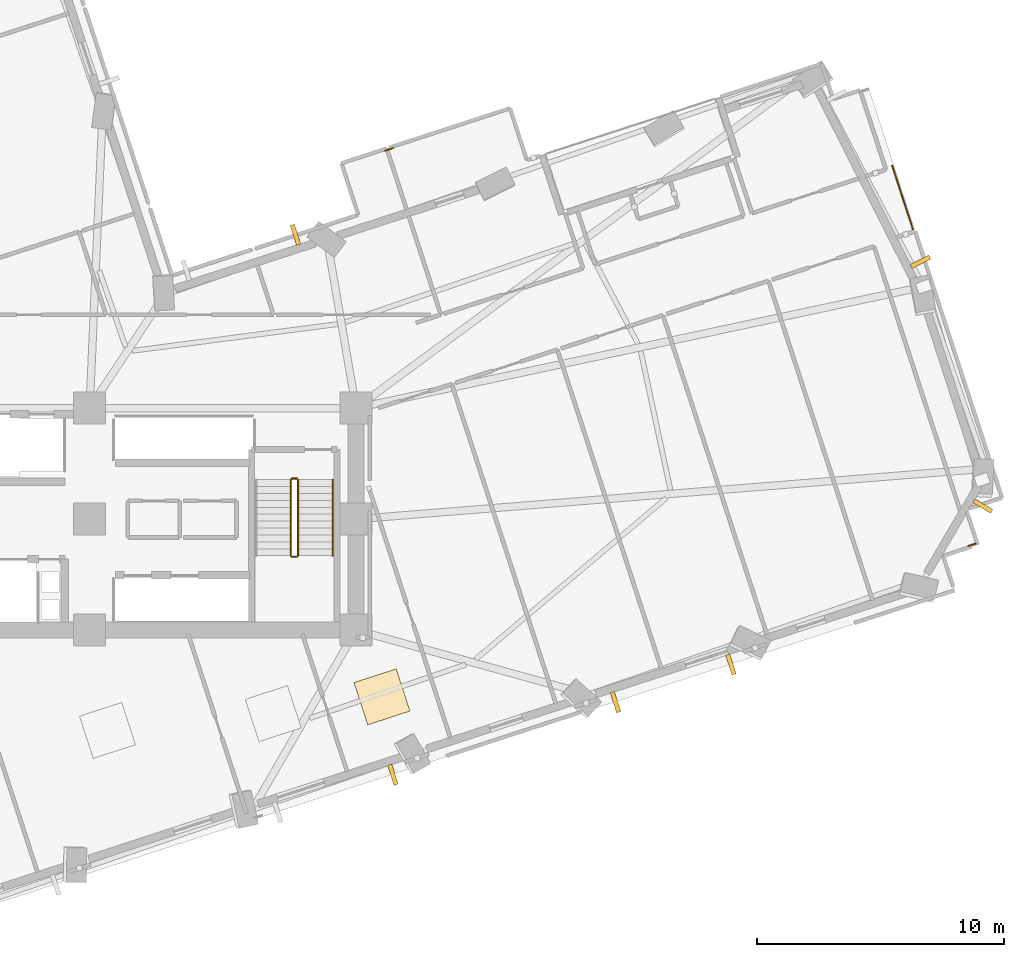
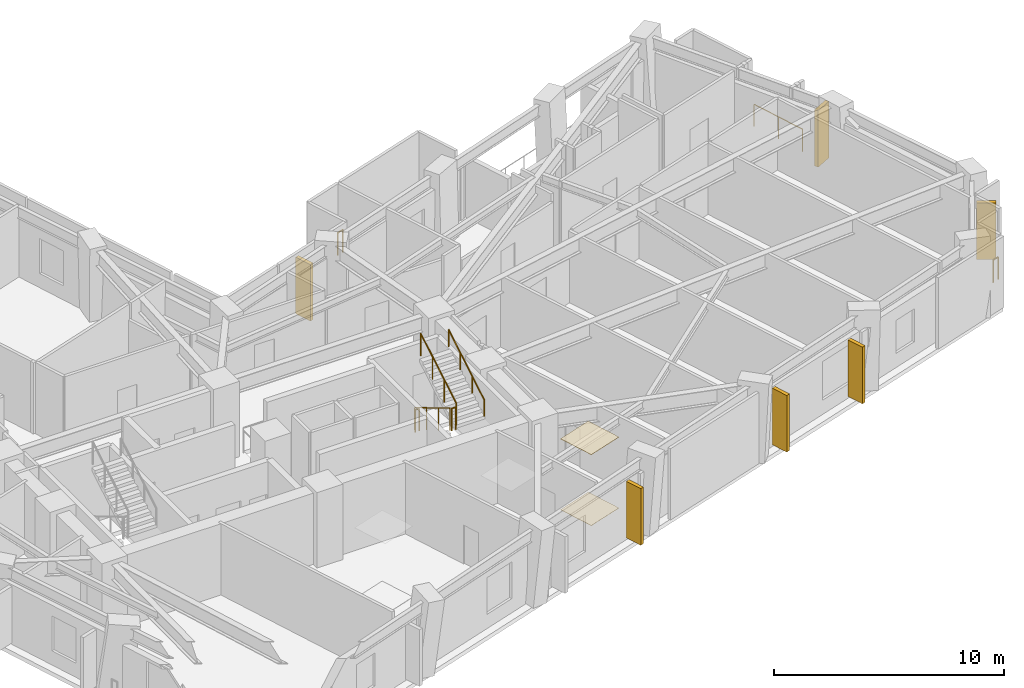
# One storey, part 14 of 16: 8 railings, 6 shading devices, 2 coverings.
"""IFC4 building model written with IfcOpenShell, lengths in metres."""

import ifcopenshell
import ifcopenshell.guid

model = None  # the IFC model being written
_history = None  # IfcOwnerHistory: only IFC2X3 demands one
_inside = {}  # id of a spatial element -> (the spatial element, [elements in it])
_under = {}  # id of a project, library or spatial element -> (it, [spatial elements below it])
_declared = {}  # id of a project -> (the project, [libraries it declares])
_typed = {}  # id of a type object -> (the type object, [elements of that type])
_made_of = {}  # id of a material, layer set ... -> (it, [elements and type objects made of it])


def new_model(schema):
    """Start an empty IFC model of exactly this schema.

    Asked for "IFC4X3", IfcOpenShell would pick the latest addendum, in which some entities
    have other attributes; the version numbers below select the first issue.
    IFC2X3 requires an IfcOwnerHistory on every rooted entity: one is made here for all.
    """
    global model, _history
    if schema == "IFC4X3":
        model = ifcopenshell.file(schema_version=(4, 3, 0, 0))
    else:
        model = ifcopenshell.file(schema=schema)
    _inside.clear()
    _under.clear()
    _declared.clear()
    _typed.clear()
    _made_of.clear()
    _history = None
    if model.schema == "IFC2X3":
        org = make("IfcOrganization", Name="unknown")
        user = make(
            "IfcPersonAndOrganization",
            ThePerson=make("IfcPerson", FamilyName="unknown"),
            TheOrganization=org,
        )
        app = make(
            "IfcApplication",
            ApplicationDeveloper=org,
            Version="unknown",
            ApplicationFullName="unknown",
            ApplicationIdentifier="unknown",
        )
        _history = make(
            "IfcOwnerHistory",
            OwningUser=user,
            OwningApplication=app,
            ChangeAction="ADDED",
            CreationDate=0,
        )
    return model


def make(cls, **values):
    """One entity of the class cls with the attributes given. An attribute that is None is left unset."""
    return model.create_entity(
        cls, **{name: value for name, value in values.items() if value is not None}
    )


def rooted(cls, **values):
    """An entity with a GlobalId (a new one), such as an element, a storey or a relation."""
    return make(cls, GlobalId=ifcopenshell.guid.new(), OwnerHistory=_history, **values)


def si_unit(unit_type, name, prefix=None):
    """IfcSIUnit, for example si_unit("LENGTHUNIT", "METRE", prefix="MILLI")."""
    return make("IfcSIUnit", UnitType=unit_type, Prefix=prefix, Name=name)


def assignment(units):
    """IfcUnitAssignment: the units of a project."""
    return None if units is None else make("IfcUnitAssignment", Units=units)


def point(xyz):
    """IfcCartesianPoint."""
    return None if xyz is None else make("IfcCartesianPoint", Coordinates=xyz)


def direction(xyz):
    """IfcDirection."""
    return None if xyz is None else make("IfcDirection", DirectionRatios=xyz)


def frame(location, z_axis=None, x_axis=None):
    """IfcAxis2Placement3D, a coordinate frame: its origin and axes. An axis left out is left unset."""
    return make(
        "IfcAxis2Placement3D",
        Location=point(location),
        Axis=direction(z_axis),
        RefDirection=direction(x_axis),
    )


def frame_2d(location, x_axis=None):
    """IfcAxis2Placement2D, a coordinate frame in the plane: its origin and x axis."""
    return make(
        "IfcAxis2Placement2D", Location=point(location), RefDirection=direction(x_axis)
    )


def origin():
    """The frame at (0, 0, 0) with its axes left unset."""
    return frame((0.0, 0.0, 0.0))


def origin_2d():
    """The frame at (0, 0) in the plane with its x axis left unset."""
    return frame_2d((0.0, 0.0))


def place(relative_to, where):
    """IfcLocalPlacement: puts the frame where relative to a parent placement (None: the world)."""
    return make(
        "IfcLocalPlacement", PlacementRelTo=relative_to, RelativePlacement=where
    )


def context(
    kind, dimensions, precision=None, world=None, true_north=None, identifier=None
):
    """IfcGeometricRepresentationContext, for example the 3D "Model" context."""
    return make(
        "IfcGeometricRepresentationContext",
        ContextIdentifier=identifier,
        ContextType=kind,
        CoordinateSpaceDimension=dimensions,
        Precision=precision,
        WorldCoordinateSystem=world,
        TrueNorth=true_north,
    )


def subcontext(parent, identifier, kind, view, scale=None):
    """IfcGeometricRepresentationSubContext, for example "Body" below "Model"."""
    return make(
        "IfcGeometricRepresentationSubContext",
        ContextIdentifier=identifier,
        ContextType=kind,
        ParentContext=parent,
        TargetScale=scale,
        TargetView=view,
    )


def project(units=None, contexts=None):
    """IfcProject with its units and contexts."""
    return rooted(
        "IfcProject",
        Name="project",
        RepresentationContexts=contexts,
        UnitsInContext=assignment(units),
    )


def spatial(cls, under=None, at=None, **own):
    """A site, building, storey or space (cls), placed at a placement, below another one or the project."""
    s = rooted(cls, ObjectPlacement=at, **own)
    if under is not None:
        _under.setdefault(under.id(), (under, []))[1].append(s)
    return s


def profile(cls, at=None, kind="AREA", **sizes):
    """A parametric profile (cls). Its sizes go by their IFC names, for example OverallWidth=200.0."""
    return make(cls, ProfileType=kind, Position=at, **sizes)


def rectangle(**sizes):
    """IfcRectangleProfileDef."""
    return profile("IfcRectangleProfileDef", **sizes)


def circle(**sizes):
    """IfcCircleProfileDef."""
    return profile("IfcCircleProfileDef", **sizes)


def extrude(swept, where, along, depth):
    """IfcExtrudedAreaSolid: the profile swept, set in the frame where, extruded along a direction by depth."""
    return make(
        "IfcExtrudedAreaSolid",
        SweptArea=swept,
        Position=where,
        ExtrudedDirection=direction(along),
        Depth=depth,
    )


def shape(context_of_items, identifier, shape_type, items):
    """IfcShapeRepresentation: the items that make up one representation, for example the "Body"."""
    return make(
        "IfcShapeRepresentation",
        ContextOfItems=context_of_items,
        RepresentationIdentifier=identifier,
        RepresentationType=shape_type,
        Items=items,
    )


def material(Name=None, Category=None):
    """IfcMaterial."""
    return make("IfcMaterial", Name=Name, Category=Category)


def layer(
    of_material, thickness, ventilated=None, Name=None, Category=None, Priority=None
):
    """IfcMaterialLayer: one layer of a wall or slab, of a material (None: an air gap)."""
    return make(
        "IfcMaterialLayer",
        Material=of_material,
        LayerThickness=thickness,
        IsVentilated=ventilated,
        Name=Name,
        Category=Category,
        Priority=Priority,
    )


def layer_set(layers, Name=None):
    """IfcMaterialLayerSet."""
    return make("IfcMaterialLayerSet", MaterialLayers=layers, LayerSetName=Name)


def made_of(thing, what):
    """Note that an element or type object is made of a material, layer set ...; save() writes the relation."""
    if what is not None:
        _made_of.setdefault(what.id(), (what, []))[1].append(thing)
    return thing


def type_object(cls, material=None, **own):
    """A type object (cls), such as IfcWallType, which elements share."""
    return made_of(rooted(cls, **own), material)


def element(
    cls,
    number,
    at=None,
    inside=None,
    cuts=None,
    type_object=None,
    material=None,
    context=None,
    identifier="Body",
    shape_type=None,
    held_by="IfcProductDefinitionShape",
    body=None,
    shapes=None,
    **own,
):
    """One element of the class cls, such as IfcWall. Its Tag is "e" and its number.

    at: its placement. inside: the storey or other place that contains it. cuts: it is an
    opening in that element (IfcRelVoidsElement). A single representation is given by context,
    identifier, shape_type and body (its items); several are given by shapes. held_by: the class
    of the entity that holds the representations. save() writes the other relations.
    """
    e = rooted(cls, Tag="e%d" % number, ObjectPlacement=at, **own)
    if body is not None:
        shapes = [shape(context, identifier, shape_type, body)]
    if shapes is not None:
        e.Representation = make(held_by, Representations=shapes)
    if inside is not None:
        _inside.setdefault(inside.id(), (inside, []))[1].append(e)
    if cuts is not None:
        rooted(
            "IfcRelVoidsElement", RelatingBuildingElement=cuts, RelatedOpeningElement=e
        )
    if type_object is not None:
        _typed.setdefault(type_object.id(), (type_object, []))[1].append(e)
    return made_of(e, material)


def aggregate(whole, parts):
    """IfcRelAggregates: a whole, such as a stair, and the parts it consists of."""
    return rooted("IfcRelAggregates", RelatingObject=whole, RelatedObjects=parts)


def save(model, path):
    """Write the relations noted so far, then the file.

    IfcRelAggregates (storeys below a building ...), IfcRelContainedInSpatialStructure (elements
    in a storey), IfcRelDefinesByType, IfcRelAssociatesMaterial and IfcRelDeclares: one each for
    every whole, place, type object, material and project.
    """
    for whole, parts in _under.values():
        aggregate(whole, parts)
    for where, things in _inside.values():
        rooted(
            "IfcRelContainedInSpatialStructure",
            RelatedElements=things,
            RelatingStructure=where,
        )
    for kind, things in _typed.values():
        rooted("IfcRelDefinesByType", RelatedObjects=things, RelatingType=kind)
    for what, things in _made_of.values():
        rooted("IfcRelAssociatesMaterial", RelatedObjects=things, RelatingMaterial=what)
    for by, libraries in _declared.values():
        rooted("IfcRelDeclares", RelatingContext=by, RelatedDefinitions=libraries)
    model.write(path)


model = new_model("IFC4")

# Units and contexts
model_context = context("Model", 3, precision=1e-05, world=origin(), true_north=direction((0.0, 1.0)))
body_context = subcontext(model_context, "Body", "Model", "MODEL_VIEW")
ifc_project = project(units=[si_unit("LENGTHUNIT", "METRE"), si_unit("AREAUNIT", "SQUARE_METRE"), si_unit("VOLUMEUNIT", "CUBIC_METRE"), si_unit("PLANEANGLEUNIT", "RADIAN"), si_unit("MASSUNIT", "GRAM", prefix="KILO")], contexts=[model_context])

# Site, building, storey
site_placement = place(None, origin())
site = spatial("IfcSite", under=ifc_project, at=site_placement, CompositionType="ELEMENT")
building_placement = place(site_placement, origin())
building = spatial("IfcBuilding", under=site, at=building_placement, Name="Gaonmaruhae Medical Tower", CompositionType="ELEMENT")
storey_placement = place(building_placement, frame((0.0, 0.0, 100.39990234375)))
storey = spatial("IfcBuildingStorey", under=building, at=storey_placement, Name="L23", CompositionType="ELEMENT", Elevation=100.39990234375)

# Coverings
ifc_material_1 = material(Name="Acoustic mineral ceiling tile", Category="finish")
ifc_layer_1 = layer(ifc_material_1, 0.02490234375)
ifc_layer_set_1 = layer_set([ifc_layer_1], Name="Acoustic mineral ceiling tile")
covering_type_1 = type_object("IfcCoveringType", Name="CLG-01 Antimicrobial Acoustic Mineral Ceiling", PredefinedType="CEILING", material=ifc_layer_set_1)
covering_1_placement = place(storey_placement, frame((36.64990234375, 5.09765625, 3.755126953125), z_axis=(0.0, 0.0, 1.0), x_axis=(0.950786485994, 0.309846829984, 0.0)))
element("IfcCovering", 1, at=covering_1_placement, inside=storey, type_object=covering_type_1, Name="L23 Clinical Room Acoustic Ceiling 4", PredefinedType="CEILING", context=body_context, shape_type="SweptSolid", body=[
    extrude(rectangle(XDim=1.800048828125, YDim=1.800048828125, at=origin_2d()), origin(), (0.0, 0.0, 1.0), 0.02490234375),
])
ifc_material_2 = material(Name="Seamless clinical vinyl flooring", Category="finish")
ifc_layer_2 = layer(ifc_material_2, 0.014892578125)
ifc_layer_set_2 = layer_set([ifc_layer_2], Name="Seamless clinical vinyl flooring")
covering_type_2 = type_object("IfcCoveringType", Name="FLR-01 Seamless Clinical Antistatic Vinyl Flooring", PredefinedType="FLOORING", material=ifc_layer_set_2)
covering_2_placement = place(storey_placement, frame((36.64990234375, 5.09765625, 0.0), z_axis=(0.0, 0.0, 1.0), x_axis=(0.950786485994, 0.309846829984, 0.0)))
element("IfcCovering", 2, at=covering_2_placement, inside=storey, type_object=covering_type_2, Name="L23 Clinical Room Vinyl Flooring 4", PredefinedType="FLOORING", context=body_context, shape_type="SweptSolid", body=[
    extrude(rectangle(XDim=1.800048828125, YDim=1.800048828125, at=origin_2d()), origin(), (0.0, 0.0, 1.0), 0.014892578125),
])

# Railings
ifc_material_3 = material(Name="Stainless steel 316L and laminated safety glass", Category="steel")
ifc_layer_3 = layer(ifc_material_3, 0.080078125)
ifc_layer_set_3 = layer_set([ifc_layer_3], Name="Stainless steel 316L and laminated safety glass")
railing_type_1 = type_object("IfcRailingType", Name="GD-120 Outdoor Terrace Safety Glass & Steel Balustrade", PredefinedType="BALUSTRADE", material=ifc_layer_set_3)
railing_1_placement = place(storey_placement, frame((57.330810546875, 26.630126953125, 0.0)))
element("IfcRailing", 3, at=railing_1_placement, inside=storey, type_object=railing_type_1, Name="L23 Perimeter Slab Edge Safety Balustrade 02", PredefinedType="BALUSTRADE", context=body_context, shape_type="SweptSolid", body=[
    extrude(circle(Radius=0.02392578125, at=origin_2d()), frame((0.0, 0.0, 1.17578125), z_axis=(0.30979582036, -0.95080310774, 0.0), x_axis=(0.95080310774, 0.30979582036, 0.0)), (0.0, 0.0, 1.0), 2.838623046875),
    extrude(circle(Radius=0.02099609375, at=origin_2d()), origin(), (0.0, 0.0, 1.0), 1.15185546875),
    extrude(circle(Radius=0.02099609375, at=origin_2d()), frame((0.439697265625, -1.349609375, 0.0)), (0.0, 0.0, 1.0), 1.15185546875),
    extrude(circle(Radius=0.02099609375, at=origin_2d()), frame((0.87939453125, -2.698974609375, 0.0)), (0.0, 0.0, 1.0), 1.15185546875),
])
railing_2_placement = place(storey_placement, frame((60.727783203125, 11.3115234375, 0.0)))
element("IfcRailing", 4, at=railing_2_placement, inside=storey, type_object=railing_type_1, Name="L23 Perimeter Slab Edge Safety Balustrade 03", PredefinedType="BALUSTRADE", context=body_context, shape_type="SweptSolid", body=[
    extrude(circle(Radius=0.02392578125, at=origin_2d()), frame((0.0, 0.0, 1.17578125), z_axis=(-0.950973662907, -0.309271874661, 0.0), x_axis=(0.309271874661, -0.950973662907, 0.0)), (0.0, 0.0, 1.0), 0.326904296875),
    extrude(circle(Radius=0.02099609375, at=origin_2d()), origin(), (0.0, 0.0, 1.0), 1.15185546875),
    extrude(circle(Radius=0.02099609375, at=origin_2d()), frame((-0.310791015625, -0.10107421875, 0.0)), (0.0, 0.0, 1.0), 1.15185546875),
])
railing_3_placement = place(storey_placement, frame((36.781494140625, 27.235595703125, 0.0)))
element("IfcRailing", 5, at=railing_3_placement, inside=storey, type_object=railing_type_1, Name="L23 Perimeter Slab Edge Safety Balustrade 11", PredefinedType="BALUSTRADE", context=body_context, shape_type="SweptSolid", body=[
    extrude(circle(Radius=0.02392578125, at=origin_2d()), frame((0.0, 0.0, 1.17578125), z_axis=(0.950771780882, 0.309891950005, 0.0), x_axis=(-0.309891950005, 0.950771780882, 0.0)), (0.0, 0.0, 1.0), 0.335693359375),
    extrude(circle(Radius=0.02099609375, at=origin_2d()), origin(), (0.0, 0.0, 1.0), 1.15185546875),
    extrude(circle(Radius=0.02099609375, at=origin_2d()), frame((0.319091796875, 0.10400390625, 0.0)), (0.0, 0.0, 1.0), 1.15185546875),
])
ifc_material_4 = material(Name="Stainless steel 304 handrail", Category="steel")
railing_type_2 = type_object("IfcRailingType", Name="HR-092 Continuous Stainless Steel Stair Handrail", PredefinedType="HANDRAIL", material=ifc_material_4)
railing_4_placement = place(storey_placement, frame((34.64990234375, 10.820068359375, 2.166748046875)))
element("IfcRailing", 6, at=railing_4_placement, inside=storey, type_object=railing_type_2, Name="L23 ST-02 stair handrail 2", PredefinedType="HANDRAIL", context=body_context, shape_type="SweptSolid", body=[
    extrude(circle(Radius=0.02392578125, at=origin_2d()), frame((0.0, 0.0, 0.8759765625), z_axis=(0.0, 0.859290745958, 0.51148745235), x_axis=(-1.0, 0.0, 0.0)), (0.0, 0.0, 1.0), 3.584228515625),
    extrude(circle(Radius=0.02099609375, at=origin_2d()), origin(), (0.0, 0.0, 1.0), 0.851806640625),
    extrude(circle(Radius=0.02099609375, at=origin_2d()), frame((0.0, 1.026611328125, 0.611083984375)), (0.0, 0.0, 1.0), 0.851806640625),
    extrude(circle(Radius=0.02099609375, at=origin_2d()), frame((0.0, 2.05322265625, 1.22216796875)), (0.0, 0.0, 1.0), 0.851806640625),
    extrude(circle(Radius=0.02099609375, at=origin_2d()), frame((0.0, 3.079833984375, 1.833251953125)), (0.0, 0.0, 1.0), 0.851806640625),
])

# Shading devices
ifc_material_5 = material(Name="Pigmented coral precast concrete C45/55", Category="concrete")
shading_device_type = type_object("IfcShadingDeviceType", Name="SD-FIN1 Tower Vertical Coral Precast Shading Fin", PredefinedType="USERDEFINED", material=ifc_material_5)
for number, where, z_axis, x_axis, name in (
    (7, (37.093017578125, 1.9423828125, 0.08251953125), (0.0, 0.0, 1.0), (-0.950791893697, -0.309830235582, 0.0), "L23 Vertical Coral Precast Shading Fin S03"),
    (8, (50.79248046875, 6.40673828125, 0.08251953125), (0.0, 0.0, 1.0), (-0.950786485994, -0.309846829984, 0.0), "L23 Vertical Coral Precast Shading Fin S05"),
    (9, (46.1162109375, 4.8828125, 0.08251953125), (0.0, 0.0, 1.0), (-0.950786485994, -0.309846829984, 0.0), "L23 Vertical Coral Precast Shading Fin S05B"),
    (10, (61.004150390625, 12.830322265625, 0.08251953125), (0.0, 0.0, 1.0), (-0.507553401149, -0.861620302095, 0.0), "L23 Vertical Coral Precast Shading Fin S07"),
    (11, (58.474365234375, 22.73095703125, 0.08251953125), (0.0, 0.0, 1.0), (0.451500573218, -0.892270829056, 0.0), "L23 Vertical Coral Precast Shading Fin E02B"),
    (12, (33.144287109375, 23.825927734375, 0.08251953125), (0.0, 0.0, 1.0), (0.950786485994, 0.309846829984, 0.0), "L23 Vertical Coral Precast Shading Fin EN03B"),
):
    element("IfcShadingDevice", number, at=place(storey_placement, frame(where, z_axis=z_axis, x_axis=x_axis)), inside=storey, type_object=shading_device_type, Name=name, ObjectType="FIN", PredefinedType="USERDEFINED", context=body_context, shape_type="SweptSolid", body=[
        extrude(rectangle(XDim=0.179931640625, YDim=0.85009765625, at=origin_2d()), origin(), (0.0, 0.0, 1.0), 3.0),
    ])

# Railings
ifc_material_6 = material(Name="Stainless steel 304 balustrade", Category="steel")
railing_type_3 = type_object("IfcRailingType", Name="SG-112 Stair Well & Ramp Void Safety Balustrade", PredefinedType="BALUSTRADE", material=ifc_material_6)
railing_5_placement = place(storey_placement, frame((32.949951171875, 13.89990234375, 0.166748046875)))
element("IfcRailing", 13, at=railing_5_placement, inside=storey, type_object=railing_type_3, Name="L23 ST-02 stair guard 1", PredefinedType="BALUSTRADE", context=body_context, shape_type="SweptSolid", body=[
    extrude(circle(Radius=0.02392578125, at=origin_2d()), frame((0.0, 0.0, 1.17578125), z_axis=(0.0, -0.859290745958, 0.51148745235), x_axis=(1.0, 0.0, 0.0)), (0.0, 0.0, 1.0), 3.584228515625),
    extrude(circle(Radius=0.02099609375, at=origin_2d()), origin(), (0.0, 0.0, 1.0), 1.15185546875),
    extrude(circle(Radius=0.02099609375, at=origin_2d()), frame((0.0, -1.026611328125, 0.611083984375)), (0.0, 0.0, 1.0), 1.15185546875),
    extrude(circle(Radius=0.02099609375, at=origin_2d()), frame((0.0, -2.05322265625, 1.22216796875)), (0.0, 0.0, 1.0), 1.15185546875),
    extrude(circle(Radius=0.02099609375, at=origin_2d()), frame((0.0, -3.079833984375, 1.833251953125)), (0.0, 0.0, 1.0), 1.15185546875),
])
railing_6_placement = place(storey_placement, frame((33.0, 10.77001953125, 2.0)))
element("IfcRailing", 14, at=railing_6_placement, inside=storey, type_object=railing_type_3, Name="L23 ST-02 stair guard 2", PredefinedType="BALUSTRADE", context=body_context, shape_type="SweptSolid", body=[
    extrude(circle(Radius=0.02392578125, at=origin_2d()), frame((0.0, 0.0, 1.17578125), z_axis=(1.0, 0.0, 0.0), x_axis=(0.0, 1.0, 0.0)), (0.0, 0.0, 1.0), 0.199951171875),
    extrude(circle(Radius=0.02099609375, at=origin_2d()), origin(), (0.0, 0.0, 1.0), 1.15185546875),
    extrude(circle(Radius=0.02099609375, at=origin_2d()), frame((0.199951171875, 0.0, 0.0)), (0.0, 0.0, 1.0), 1.15185546875),
])
railing_7_placement = place(storey_placement, frame((33.25, 10.820068359375, 2.166748046875)))
element("IfcRailing", 15, at=railing_7_placement, inside=storey, type_object=railing_type_3, Name="L23 ST-02 stair guard 3", PredefinedType="BALUSTRADE", context=body_context, shape_type="SweptSolid", body=[
    extrude(circle(Radius=0.02392578125, at=origin_2d()), frame((0.0, 0.0, 1.17578125), z_axis=(0.0, 0.859290745958, 0.51148745235), x_axis=(-1.0, 0.0, 0.0)), (0.0, 0.0, 1.0), 3.584228515625),
    extrude(circle(Radius=0.02099609375, at=origin_2d()), origin(), (0.0, 0.0, 1.0), 1.15185546875),
    extrude(circle(Radius=0.02099609375, at=origin_2d()), frame((0.0, 1.026611328125, 0.611083984375)), (0.0, 0.0, 1.0), 1.15185546875),
    extrude(circle(Radius=0.02099609375, at=origin_2d()), frame((0.0, 2.05322265625, 1.22216796875)), (0.0, 0.0, 1.0), 1.15185546875),
    extrude(circle(Radius=0.02099609375, at=origin_2d()), frame((0.0, 3.079833984375, 1.833251953125)), (0.0, 0.0, 1.0), 1.15185546875),
])
railing_8_placement = place(storey_placement, frame((33.0, 13.949951171875, 0.0)))
element("IfcRailing", 16, at=railing_8_placement, inside=storey, type_object=railing_type_3, Name="L23 ST-02 stair guard 4", PredefinedType="BALUSTRADE", context=body_context, shape_type="SweptSolid", body=[
    extrude(circle(Radius=0.02392578125, at=origin_2d()), frame((0.0, 0.0, 1.17578125), z_axis=(1.0, 0.0, 0.0), x_axis=(0.0, 1.0, 0.0)), (0.0, 0.0, 1.0), 0.199951171875),
    extrude(circle(Radius=0.02099609375, at=origin_2d()), origin(), (0.0, 0.0, 1.0), 1.15185546875),
    extrude(circle(Radius=0.02099609375, at=origin_2d()), frame((0.199951171875, 0.0, 0.0)), (0.0, 0.0, 1.0), 1.15185546875),
])

save(model, "model.ifc")
